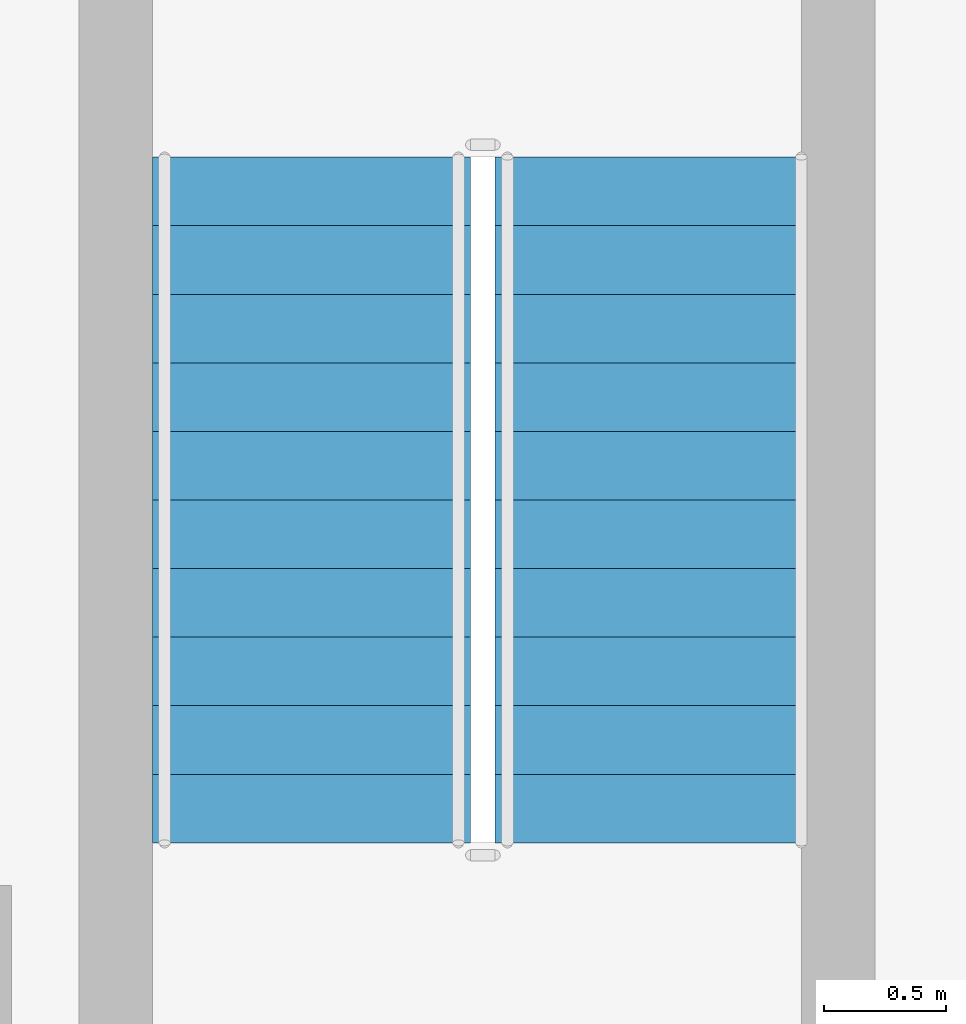
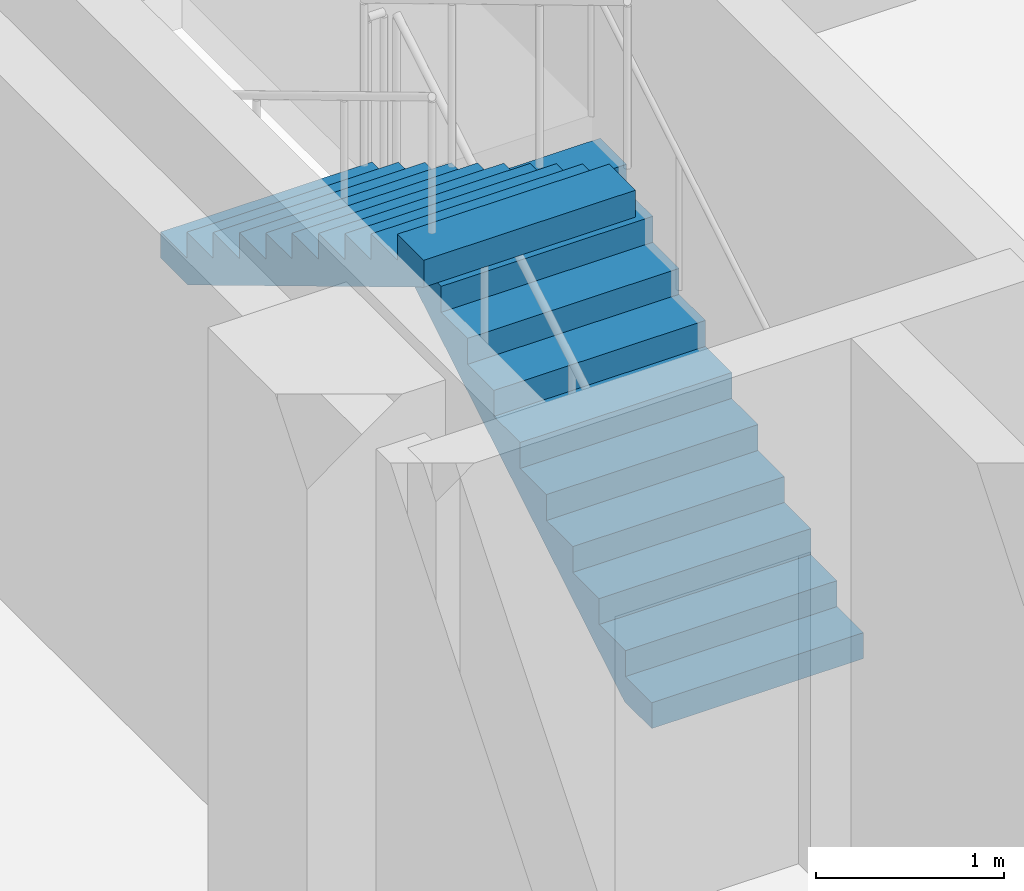
# One storey, part 16 of 25: 2 stair flights, 1 element without a shape of its own.
"""IFC4 building model written with IfcOpenShell, lengths in metres."""

from ifc_helpers import new_model, si_unit, direction, frame, origin, place, context, subcontext, project, spatial, triangles, source, transform, mapped, material, type_object, element, aggregate, save


model = new_model("IFC4")

# Units and contexts
model_context = context("Model", 3, precision=1e-05, world=origin(), true_north=direction((0.0, 1.0)))
body_context = subcontext(model_context, "Body", "Model", "MODEL_VIEW")
ifc_project = project(units=[si_unit("LENGTHUNIT", "METRE"), si_unit("AREAUNIT", "SQUARE_METRE"), si_unit("VOLUMEUNIT", "CUBIC_METRE"), si_unit("PLANEANGLEUNIT", "RADIAN"), si_unit("MASSUNIT", "GRAM", prefix="KILO")], contexts=[model_context])

# Site, building, storey
site_placement = place(None, origin())
site = spatial("IfcSite", under=ifc_project, at=site_placement, CompositionType="ELEMENT")
building_placement = place(site_placement, origin())
building = spatial("IfcBuilding", under=site, at=building_placement, Name="Ogive Portal Towers", CompositionType="ELEMENT")
storey_placement = place(building_placement, frame((0.0, 0.0, 124.10009765625)))
storey = spatial("IfcBuildingStorey", under=building, at=storey_placement, Name="L30", CompositionType="ELEMENT", Elevation=124.10009765625)

# Stair, stair flights
ifc_material = material(Name="Concrete C40/50", Category="concrete")
stair_type = type_object("IfcStairType", Name="INT-STAIR", PredefinedType="HALF_TURN_STAIR", material=ifc_material)
stair_placement = place(storey_placement, origin())
stair = element("IfcStair", 1, at=stair_placement, inside=storey, type_object=stair_type, Name="L30 Exit Stair ST-A3", PredefinedType="HALF_TURN_STAIR")
stair_flight_type = type_object("IfcStairFlightType", Name="INT-FLIGHT", PredefinedType="STRAIGHT", material=ifc_material)
shared_shape = source(origin(), body_context, "Body", "Tessellation", [
    triangles([(0.0, -0.650146484375, 0.0), (0.0, -0.376220703125, 0.0), (0.0, -0.192626953125, 0.0), (0.0, -0.081298828125, 0.0), (0.0, -0.024169921875, 0.0), (0.0, -0.003173828125, 0.0), (0.0, 0.0, 0.0), (0.0, 0.0029296875, 0.0), (0.0, 0.02392578125, 0.0), (0.0, 0.0810546875, 0.0), (0.0, 0.1923828125, 0.0), (0.0, 0.3759765625, 0.0), (0.0, 0.64990234375, 0.0), (0.0, -0.650146484375, 0.168212890625), (0.0, -0.376220703125, 0.168212890625), (0.0, -0.192626953125, 0.168212890625), (0.0, -0.081298828125, 0.168212890625), (0.0, -0.024169921875, 0.168212890625), (0.0, -0.003173828125, 0.168212890625), (0.0, 0.0, 0.168212890625), (0.0, 0.0029296875, 0.168212890625), (0.0, 0.02392578125, 0.168212890625), (0.0, 0.0810546875, 0.168212890625), (0.0, 0.1923828125, 0.168212890625), (0.0, 0.3759765625, 0.168212890625), (0.0, 0.64990234375, 0.168212890625), (0.280029296875, -0.650146484375, 0.168212890625), (0.280029296875, -0.376220703125, 0.168212890625), (0.280029296875, -0.192626953125, 0.168212890625), (0.280029296875, -0.081298828125, 0.168212890625), (0.280029296875, -0.024169921875, 0.168212890625), (0.280029296875, -0.003173828125, 0.168212890625), (0.280029296875, 0.0, 0.168212890625), (0.280029296875, 0.0029296875, 0.168212890625), (0.280029296875, 0.02392578125, 0.168212890625), (0.280029296875, 0.0810546875, 0.168212890625), (0.280029296875, 0.1923828125, 0.168212890625), (0.280029296875, 0.3759765625, 0.168212890625), (0.280029296875, 0.64990234375, 0.168212890625), (0.280029296875, -0.650146484375, 0.33642578125), (0.280029296875, -0.376220703125, 0.33642578125), (0.280029296875, -0.192626953125, 0.33642578125), (0.280029296875, -0.081298828125, 0.33642578125), (0.280029296875, -0.024169921875, 0.33642578125), (0.280029296875, -0.003173828125, 0.33642578125), (0.280029296875, 0.0, 0.33642578125), (0.280029296875, 0.0029296875, 0.33642578125), (0.280029296875, 0.02392578125, 0.33642578125), (0.280029296875, 0.0810546875, 0.33642578125), (0.280029296875, 0.1923828125, 0.33642578125), (0.280029296875, 0.3759765625, 0.33642578125), (0.280029296875, 0.64990234375, 0.33642578125), (0.56005859375, -0.650146484375, 0.33642578125), (0.56005859375, -0.376220703125, 0.33642578125), (0.56005859375, -0.192626953125, 0.33642578125), (0.56005859375, -0.081298828125, 0.33642578125), (0.56005859375, -0.024169921875, 0.33642578125), (0.56005859375, -0.003173828125, 0.33642578125), (0.56005859375, 0.0, 0.33642578125), (0.56005859375, 0.0029296875, 0.33642578125), (0.56005859375, 0.02392578125, 0.33642578125), (0.56005859375, 0.0810546875, 0.33642578125), (0.56005859375, 0.1923828125, 0.33642578125), (0.56005859375, 0.3759765625, 0.33642578125), (0.56005859375, 0.64990234375, 0.33642578125), (0.56005859375, -0.650146484375, 0.504638671875), (0.56005859375, -0.376220703125, 0.504638671875), (0.56005859375, -0.192626953125, 0.504638671875), (0.56005859375, -0.081298828125, 0.504638671875), (0.56005859375, -0.024169921875, 0.504638671875), (0.56005859375, -0.003173828125, 0.504638671875), (0.56005859375, 0.0, 0.504638671875), (0.56005859375, 0.0029296875, 0.504638671875), (0.56005859375, 0.02392578125, 0.504638671875), (0.56005859375, 0.0810546875, 0.504638671875), (0.56005859375, 0.1923828125, 0.504638671875), (0.56005859375, 0.3759765625, 0.504638671875), (0.56005859375, 0.64990234375, 0.504638671875), (0.840087890625, -0.650146484375, 0.504638671875), (0.840087890625, -0.376220703125, 0.504638671875), (0.840087890625, -0.192626953125, 0.504638671875), (0.840087890625, -0.081298828125, 0.504638671875), (0.840087890625, -0.024169921875, 0.504638671875), (0.840087890625, -0.003173828125, 0.504638671875), (0.840087890625, 0.0, 0.504638671875), (0.840087890625, 0.0029296875, 0.504638671875), (0.840087890625, 0.02392578125, 0.504638671875), (0.840087890625, 0.0810546875, 0.504638671875), (0.840087890625, 0.1923828125, 0.504638671875), (0.840087890625, 0.3759765625, 0.504638671875), (0.840087890625, 0.64990234375, 0.504638671875), (0.840087890625, -0.650146484375, 0.672607421875), (0.840087890625, -0.376220703125, 0.672607421875), (0.840087890625, -0.192626953125, 0.672607421875), (0.840087890625, -0.081298828125, 0.672607421875), (0.840087890625, -0.024169921875, 0.672607421875), (0.840087890625, -0.003173828125, 0.672607421875), (0.840087890625, 0.0, 0.672607421875), (0.840087890625, 0.0029296875, 0.672607421875), (0.840087890625, 0.02392578125, 0.672607421875), (0.840087890625, 0.0810546875, 0.672607421875), (0.840087890625, 0.1923828125, 0.672607421875), (0.840087890625, 0.3759765625, 0.672607421875), (0.840087890625, 0.64990234375, 0.672607421875), (1.1201171875, -0.650146484375, 0.672607421875), (1.1201171875, -0.376220703125, 0.672607421875), (1.1201171875, -0.192626953125, 0.672607421875), (1.1201171875, -0.081298828125, 0.672607421875), (1.1201171875, -0.024169921875, 0.672607421875), (1.1201171875, -0.003173828125, 0.672607421875), (1.1201171875, 0.0, 0.672607421875), (1.1201171875, 0.0029296875, 0.672607421875), (1.1201171875, 0.02392578125, 0.672607421875), (1.1201171875, 0.0810546875, 0.672607421875), (1.1201171875, 0.1923828125, 0.672607421875), (1.1201171875, 0.3759765625, 0.672607421875), (1.1201171875, 0.64990234375, 0.672607421875), (1.1201171875, -0.650146484375, 0.8408203125), (1.1201171875, -0.376220703125, 0.8408203125), (1.1201171875, -0.192626953125, 0.8408203125), (1.1201171875, -0.081298828125, 0.8408203125), (1.1201171875, -0.024169921875, 0.8408203125), (1.1201171875, -0.003173828125, 0.8408203125), (1.1201171875, 0.0, 0.8408203125), (1.1201171875, 0.0029296875, 0.8408203125), (1.1201171875, 0.02392578125, 0.8408203125), (1.1201171875, 0.0810546875, 0.8408203125), (1.1201171875, 0.1923828125, 0.8408203125), (1.1201171875, 0.3759765625, 0.8408203125), (1.1201171875, 0.64990234375, 0.8408203125), (1.39990234375, -0.650146484375, 0.8408203125), (1.39990234375, -0.376220703125, 0.8408203125), (1.39990234375, -0.192626953125, 0.8408203125), (1.39990234375, -0.081298828125, 0.8408203125), (1.39990234375, -0.024169921875, 0.8408203125), (1.39990234375, -0.003173828125, 0.8408203125), (1.39990234375, 0.0, 0.8408203125), (1.39990234375, 0.0029296875, 0.8408203125), (1.39990234375, 0.02392578125, 0.8408203125), (1.39990234375, 0.0810546875, 0.8408203125), (1.39990234375, 0.1923828125, 0.8408203125), (1.39990234375, 0.3759765625, 0.8408203125), (1.39990234375, 0.64990234375, 0.8408203125), (1.39990234375, -0.650146484375, 1.009033203125), (1.39990234375, -0.376220703125, 1.009033203125), (1.39990234375, -0.192626953125, 1.009033203125), (1.39990234375, -0.081298828125, 1.009033203125), (1.39990234375, -0.024169921875, 1.009033203125), (1.39990234375, -0.003173828125, 1.009033203125), (1.39990234375, 0.0, 1.009033203125), (1.39990234375, 0.0029296875, 1.009033203125), (1.39990234375, 0.02392578125, 1.009033203125), (1.39990234375, 0.0810546875, 1.009033203125), (1.39990234375, 0.1923828125, 1.009033203125), (1.39990234375, 0.3759765625, 1.009033203125), (1.39990234375, 0.64990234375, 1.009033203125), (1.679931640625, -0.650146484375, 1.009033203125), (1.679931640625, -0.376220703125, 1.009033203125), (1.679931640625, -0.192626953125, 1.009033203125), (1.679931640625, -0.081298828125, 1.009033203125), (1.679931640625, -0.024169921875, 1.009033203125), (1.679931640625, -0.003173828125, 1.009033203125), (1.679931640625, 0.0, 1.009033203125), (1.679931640625, 0.0029296875, 1.009033203125), (1.679931640625, 0.02392578125, 1.009033203125), (1.679931640625, 0.0810546875, 1.009033203125), (1.679931640625, 0.1923828125, 1.009033203125), (1.679931640625, 0.3759765625, 1.009033203125), (1.679931640625, 0.64990234375, 1.009033203125), (1.679931640625, -0.650146484375, 1.17724609375), (1.679931640625, -0.376220703125, 1.17724609375), (1.679931640625, -0.192626953125, 1.17724609375), (1.679931640625, -0.081298828125, 1.17724609375), (1.679931640625, -0.024169921875, 1.17724609375), (1.679931640625, -0.003173828125, 1.17724609375), (1.679931640625, 0.0, 1.17724609375), (1.679931640625, 0.0029296875, 1.17724609375), (1.679931640625, 0.02392578125, 1.17724609375), (1.679931640625, 0.0810546875, 1.17724609375), (1.679931640625, 0.1923828125, 1.17724609375), (1.679931640625, 0.3759765625, 1.17724609375), (1.679931640625, 0.64990234375, 1.17724609375), (1.9599609375, -0.650146484375, 1.17724609375), (1.9599609375, -0.376220703125, 1.17724609375), (1.9599609375, -0.192626953125, 1.17724609375), (1.9599609375, -0.081298828125, 1.17724609375), (1.9599609375, -0.024169921875, 1.17724609375), (1.9599609375, -0.003173828125, 1.17724609375), (1.9599609375, 0.0, 1.17724609375), (1.9599609375, 0.0029296875, 1.17724609375), (1.9599609375, 0.02392578125, 1.17724609375), (1.9599609375, 0.0810546875, 1.17724609375), (1.9599609375, 0.1923828125, 1.17724609375), (1.9599609375, 0.3759765625, 1.17724609375), (1.9599609375, 0.64990234375, 1.17724609375), (1.9599609375, -0.650146484375, 1.345458984375), (1.9599609375, -0.376220703125, 1.345458984375), (1.9599609375, -0.192626953125, 1.345458984375), (1.9599609375, -0.081298828125, 1.345458984375), (1.9599609375, -0.024169921875, 1.345458984375), (1.9599609375, -0.003173828125, 1.345458984375), (1.9599609375, 0.0, 1.345458984375), (1.9599609375, 0.0029296875, 1.345458984375), (1.9599609375, 0.02392578125, 1.345458984375), (1.9599609375, 0.0810546875, 1.345458984375), (1.9599609375, 0.1923828125, 1.345458984375), (1.9599609375, 0.3759765625, 1.345458984375), (1.9599609375, 0.64990234375, 1.345458984375), (2.239990234375, -0.650146484375, 1.345458984375), (2.239990234375, -0.376220703125, 1.345458984375), (2.239990234375, -0.192626953125, 1.345458984375), (2.239990234375, -0.081298828125, 1.345458984375), (2.239990234375, -0.024169921875, 1.345458984375), (2.239990234375, -0.003173828125, 1.345458984375), (2.239990234375, 0.0, 1.345458984375), (2.239990234375, 0.0029296875, 1.345458984375), (2.239990234375, 0.02392578125, 1.345458984375), (2.239990234375, 0.0810546875, 1.345458984375), (2.239990234375, 0.1923828125, 1.345458984375), (2.239990234375, 0.3759765625, 1.345458984375), (2.239990234375, 0.64990234375, 1.345458984375), (2.239990234375, -0.650146484375, 1.513671875), (2.239990234375, -0.376220703125, 1.513671875), (2.239990234375, -0.192626953125, 1.513671875), (2.239990234375, -0.081298828125, 1.513671875), (2.239990234375, -0.024169921875, 1.513671875), (2.239990234375, -0.003173828125, 1.513671875), (2.239990234375, 0.0, 1.513671875), (2.239990234375, 0.0029296875, 1.513671875), (2.239990234375, 0.02392578125, 1.513671875), (2.239990234375, 0.0810546875, 1.513671875), (2.239990234375, 0.1923828125, 1.513671875), (2.239990234375, 0.3759765625, 1.513671875), (2.239990234375, 0.64990234375, 1.513671875), (2.52001953125, -0.650146484375, 1.513671875), (2.52001953125, -0.376220703125, 1.513671875), (2.52001953125, -0.192626953125, 1.513671875), (2.52001953125, -0.081298828125, 1.513671875), (2.52001953125, -0.024169921875, 1.513671875), (2.52001953125, -0.003173828125, 1.513671875), (2.52001953125, 0.0, 1.513671875), (2.52001953125, 0.0029296875, 1.513671875), (2.52001953125, 0.02392578125, 1.513671875), (2.52001953125, 0.0810546875, 1.513671875), (2.52001953125, 0.1923828125, 1.513671875), (2.52001953125, 0.3759765625, 1.513671875), (2.52001953125, 0.64990234375, 1.513671875), (2.52001953125, -0.650146484375, 1.681884765625), (2.52001953125, -0.376220703125, 1.681884765625), (2.52001953125, -0.192626953125, 1.681884765625), (2.52001953125, -0.081298828125, 1.681884765625), (2.52001953125, -0.024169921875, 1.681884765625), (2.52001953125, -0.003173828125, 1.681884765625), (2.52001953125, 0.0, 1.681884765625), (2.52001953125, 0.0029296875, 1.681884765625), (2.52001953125, 0.02392578125, 1.681884765625), (2.52001953125, 0.0810546875, 1.681884765625), (2.52001953125, 0.1923828125, 1.681884765625), (2.52001953125, 0.3759765625, 1.681884765625), (2.52001953125, 0.64990234375, 1.681884765625), (2.800048828125, -0.650146484375, 1.681884765625), (2.800048828125, -0.376220703125, 1.681884765625), (2.800048828125, -0.192626953125, 1.681884765625), (2.800048828125, -0.081298828125, 1.681884765625), (2.800048828125, -0.024169921875, 1.681884765625), (2.800048828125, -0.003173828125, 1.681884765625), (2.800048828125, 0.0, 1.681884765625), (2.800048828125, 0.0029296875, 1.681884765625), (2.800048828125, 0.02392578125, 1.681884765625), (2.800048828125, 0.0810546875, 1.681884765625), (2.800048828125, 0.1923828125, 1.681884765625), (2.800048828125, 0.3759765625, 1.681884765625), (2.800048828125, 0.64990234375, 1.681884765625), (2.800048828125, -0.650146484375, 1.5068359375), (2.800048828125, -0.376220703125, 1.5068359375), (2.800048828125, -0.192626953125, 1.5068359375), (2.800048828125, -0.081298828125, 1.5068359375), (2.800048828125, -0.024169921875, 1.5068359375), (2.800048828125, -0.003173828125, 1.5068359375), (2.800048828125, 0.0, 1.5068359375), (2.800048828125, 0.0029296875, 1.5068359375), (2.800048828125, 0.02392578125, 1.5068359375), (2.800048828125, 0.0810546875, 1.5068359375), (2.800048828125, 0.1923828125, 1.5068359375), (2.800048828125, 0.3759765625, 1.5068359375), (2.800048828125, 0.64990234375, 1.5068359375), (0.291015625, -0.650146484375, 0.0), (0.291015625, -0.376220703125, 0.0), (0.291015625, -0.192626953125, 0.0), (0.291015625, -0.081298828125, 0.0), (0.291015625, -0.024169921875, 0.0), (0.291015625, -0.003173828125, 0.0), (0.291015625, 0.0, 0.0), (0.291015625, 0.0029296875, 0.0), (0.291015625, 0.02392578125, 0.0), (0.291015625, 0.0810546875, 0.0), (0.291015625, 0.1923828125, 0.0), (0.291015625, 0.3759765625, 0.0), (0.291015625, 0.64990234375, 0.0)], [[1, 14, 15], [1, 15, 2], [2, 15, 16], [2, 16, 3], [3, 16, 17], [3, 17, 4], [4, 17, 18], [4, 18, 5], [5, 18, 19], [5, 19, 6], [6, 19, 20], [6, 20, 7], [7, 20, 21], [7, 21, 8], [8, 21, 22], [8, 22, 9], [9, 22, 23], [9, 23, 10], [10, 23, 24], [10, 24, 11], [11, 24, 25], [11, 25, 12], [12, 25, 26], [12, 26, 13], [14, 27, 28], [14, 28, 15], [15, 28, 29], [15, 29, 16], [16, 29, 30], [16, 30, 17], [17, 30, 31], [17, 31, 18], [18, 31, 32], [18, 32, 19], [19, 32, 33], [19, 33, 20], [20, 33, 34], [20, 34, 21], [21, 34, 35], [21, 35, 22], [22, 35, 36], [22, 36, 23], [23, 36, 37], [23, 37, 24], [24, 37, 38], [24, 38, 25], [25, 38, 39], [25, 39, 26], [27, 40, 41], [27, 41, 28], [28, 41, 42], [28, 42, 29], [29, 42, 43], [29, 43, 30], [30, 43, 44], [30, 44, 31], [31, 44, 45], [31, 45, 32], [32, 45, 46], [32, 46, 33], [33, 46, 47], [33, 47, 34], [34, 47, 48], [34, 48, 35], [35, 48, 49], [35, 49, 36], [36, 49, 50], [36, 50, 37], [37, 50, 51], [37, 51, 38], [38, 51, 52], [38, 52, 39], [40, 53, 54], [40, 54, 41], [41, 54, 55], [41, 55, 42], [42, 55, 56], [42, 56, 43], [43, 56, 57], [43, 57, 44], [44, 57, 58], [44, 58, 45], [45, 58, 59], [45, 59, 46], [46, 59, 60], [46, 60, 47], [47, 60, 61], [47, 61, 48], [48, 61, 62], [48, 62, 49], [49, 62, 63], [49, 63, 50], [50, 63, 64], [50, 64, 51], [51, 64, 65], [51, 65, 52], [53, 66, 67], [53, 67, 54], [54, 67, 68], [54, 68, 55], [55, 68, 69], [55, 69, 56], [56, 69, 70], [56, 70, 57], [57, 70, 71], [57, 71, 58], [58, 71, 72], [58, 72, 59], [59, 72, 73], [59, 73, 60], [60, 73, 74], [60, 74, 61], [61, 74, 75], [61, 75, 62], [62, 75, 76], [62, 76, 63], [63, 76, 77], [63, 77, 64], [64, 77, 78], [64, 78, 65], [66, 79, 80], [66, 80, 67], [67, 80, 81], [67, 81, 68], [68, 81, 82], [68, 82, 69], [69, 82, 83], [69, 83, 70], [70, 83, 84], [70, 84, 71], [71, 84, 85], [71, 85, 72], [72, 85, 86], [72, 86, 73], [73, 86, 87], [73, 87, 74], [74, 87, 88], [74, 88, 75], [75, 88, 89], [75, 89, 76], [76, 89, 90], [76, 90, 77], [77, 90, 91], [77, 91, 78], [79, 92, 93], [79, 93, 80], [80, 93, 94], [80, 94, 81], [81, 94, 95], [81, 95, 82], [82, 95, 96], [82, 96, 83], [83, 96, 97], [83, 97, 84], [84, 97, 98], [84, 98, 85], [85, 98, 99], [85, 99, 86], [86, 99, 100], [86, 100, 87], [87, 100, 101], [87, 101, 88], [88, 101, 102], [88, 102, 89], [89, 102, 103], [89, 103, 90], [90, 103, 104], [90, 104, 91], [92, 105, 106], [92, 106, 93], [93, 106, 107], [93, 107, 94], [94, 107, 108], [94, 108, 95], [95, 108, 109], [95, 109, 96], [96, 109, 110], [96, 110, 97], [97, 110, 111], [97, 111, 98], [98, 111, 112], [98, 112, 99], [99, 112, 113], [99, 113, 100], [100, 113, 114], [100, 114, 101], [101, 114, 115], [101, 115, 102], [102, 115, 116], [102, 116, 103], [103, 116, 117], [103, 117, 104], [105, 118, 119], [105, 119, 106], [106, 119, 120], [106, 120, 107], [107, 120, 121], [107, 121, 108], [108, 121, 122], [108, 122, 109], [109, 122, 123], [109, 123, 110], [110, 123, 124], [110, 124, 111], [111, 124, 125], [111, 125, 112], [112, 125, 126], [112, 126, 113], [113, 126, 127], [113, 127, 114], [114, 127, 128], [114, 128, 115], [115, 128, 129], [115, 129, 116], [116, 129, 130], [116, 130, 117], [118, 131, 132], [118, 132, 119], [119, 132, 133], [119, 133, 120], [120, 133, 134], [120, 134, 121], [121, 134, 135], [121, 135, 122], [122, 135, 136], [122, 136, 123], [123, 136, 137], [123, 137, 124], [124, 137, 138], [124, 138, 125], [125, 138, 139], [125, 139, 126], [126, 139, 140], [126, 140, 127], [127, 140, 141], [127, 141, 128], [128, 141, 142], [128, 142, 129], [129, 142, 143], [129, 143, 130], [131, 144, 145], [131, 145, 132], [132, 145, 146], [132, 146, 133], [133, 146, 147], [133, 147, 134], [134, 147, 148], [134, 148, 135], [135, 148, 149], [135, 149, 136], [136, 149, 150], [136, 150, 137], [137, 150, 151], [137, 151, 138], [138, 151, 152], [138, 152, 139], [139, 152, 153], [139, 153, 140], [140, 153, 154], [140, 154, 141], [141, 154, 155], [141, 155, 142], [142, 155, 156], [142, 156, 143], [144, 157, 158], [144, 158, 145], [145, 158, 159], [145, 159, 146], [146, 159, 160], [146, 160, 147], [147, 160, 161], [147, 161, 148], [148, 161, 162], [148, 162, 149], [149, 162, 163], [149, 163, 150], [150, 163, 164], [150, 164, 151], [151, 164, 165], [151, 165, 152], [152, 165, 166], [152, 166, 153], [153, 166, 167], [153, 167, 154], [154, 167, 168], [154, 168, 155], [155, 168, 169], [155, 169, 156], [157, 170, 171], [157, 171, 158], [158, 171, 172], [158, 172, 159], [159, 172, 173], [159, 173, 160], [160, 173, 174], [160, 174, 161], [161, 174, 175], [161, 175, 162], [162, 175, 176], [162, 176, 163], [163, 176, 177], [163, 177, 164], [164, 177, 178], [164, 178, 165], [165, 178, 179], [165, 179, 166], [166, 179, 180], [166, 180, 167], [167, 180, 181], [167, 181, 168], [168, 181, 182], [168, 182, 169], [170, 183, 184], [170, 184, 171], [171, 184, 185], [171, 185, 172], [172, 185, 186], [172, 186, 173], [173, 186, 187], [173, 187, 174], [174, 187, 188], [174, 188, 175], [175, 188, 189], [175, 189, 176], [176, 189, 190], [176, 190, 177], [177, 190, 191], [177, 191, 178], [178, 191, 192], [178, 192, 179], [179, 192, 193], [179, 193, 180], [180, 193, 194], [180, 194, 181], [181, 194, 195], [181, 195, 182], [183, 196, 197], [183, 197, 184], [184, 197, 198], [184, 198, 185], [185, 198, 199], [185, 199, 186], [186, 199, 200], [186, 200, 187], [187, 200, 201], [187, 201, 188], [188, 201, 202], [188, 202, 189], [189, 202, 203], [189, 203, 190], [190, 203, 204], [190, 204, 191], [191, 204, 205], [191, 205, 192], [192, 205, 206], [192, 206, 193], [193, 206, 207], [193, 207, 194], [194, 207, 208], [194, 208, 195], [196, 209, 210], [196, 210, 197], [197, 210, 211], [197, 211, 198], [198, 211, 212], [198, 212, 199], [199, 212, 213], [199, 213, 200], [200, 213, 214], [200, 214, 201], [201, 214, 215], [201, 215, 202], [202, 215, 216], [202, 216, 203], [203, 216, 217], [203, 217, 204], [204, 217, 218], [204, 218, 205], [205, 218, 219], [205, 219, 206], [206, 219, 220], [206, 220, 207], [207, 220, 221], [207, 221, 208], [209, 222, 223], [209, 223, 210], [210, 223, 224], [210, 224, 211], [211, 224, 225], [211, 225, 212], [212, 225, 226], [212, 226, 213], [213, 226, 227], [213, 227, 214], [214, 227, 228], [214, 228, 215], [215, 228, 229], [215, 229, 216], [216, 229, 230], [216, 230, 217], [217, 230, 231], [217, 231, 218], [218, 231, 232], [218, 232, 219], [219, 232, 233], [219, 233, 220], [220, 233, 234], [220, 234, 221], [222, 235, 236], [222, 236, 223], [223, 236, 237], [223, 237, 224], [224, 237, 238], [224, 238, 225], [225, 238, 239], [225, 239, 226], [226, 239, 240], [226, 240, 227], [227, 240, 241], [227, 241, 228], [228, 241, 242], [228, 242, 229], [229, 242, 243], [229, 243, 230], [230, 243, 244], [230, 244, 231], [231, 244, 245], [231, 245, 232], [232, 245, 246], [232, 246, 233], [233, 246, 247], [233, 247, 234], [235, 248, 249], [235, 249, 236], [236, 249, 250], [236, 250, 237], [237, 250, 251], [237, 251, 238], [238, 251, 252], [238, 252, 239], [239, 252, 253], [239, 253, 240], [240, 253, 254], [240, 254, 241], [241, 254, 255], [241, 255, 242], [242, 255, 256], [242, 256, 243], [243, 256, 257], [243, 257, 244], [244, 257, 258], [244, 258, 245], [245, 258, 259], [245, 259, 246], [246, 259, 260], [246, 260, 247], [248, 261, 262], [248, 262, 249], [249, 262, 263], [249, 263, 250], [250, 263, 264], [250, 264, 251], [251, 264, 265], [251, 265, 252], [252, 265, 266], [252, 266, 253], [253, 266, 267], [253, 267, 254], [254, 267, 268], [254, 268, 255], [255, 268, 269], [255, 269, 256], [256, 269, 270], [256, 270, 257], [257, 270, 271], [257, 271, 258], [258, 271, 272], [258, 272, 259], [259, 272, 273], [259, 273, 260], [261, 274, 275], [261, 275, 262], [262, 275, 276], [262, 276, 263], [263, 276, 277], [263, 277, 264], [264, 277, 278], [264, 278, 265], [265, 278, 279], [265, 279, 266], [266, 279, 280], [266, 280, 267], [267, 280, 281], [267, 281, 268], [268, 281, 282], [268, 282, 269], [269, 282, 283], [269, 283, 270], [270, 283, 284], [270, 284, 271], [271, 284, 285], [271, 285, 272], [272, 285, 286], [272, 286, 273], [274, 287, 288], [274, 288, 275], [275, 288, 289], [275, 289, 276], [276, 289, 290], [276, 290, 277], [277, 290, 291], [277, 291, 278], [278, 291, 292], [278, 292, 279], [279, 292, 293], [279, 293, 280], [280, 293, 294], [280, 294, 281], [281, 294, 295], [281, 295, 282], [282, 295, 296], [282, 296, 283], [283, 296, 297], [283, 297, 284], [284, 297, 298], [284, 298, 285], [285, 298, 299], [285, 299, 286], [287, 1, 2], [287, 2, 288], [288, 2, 3], [288, 3, 289], [289, 3, 4], [289, 4, 290], [290, 4, 5], [290, 5, 291], [291, 5, 6], [291, 6, 292], [292, 6, 7], [292, 7, 293], [293, 7, 8], [293, 8, 294], [294, 8, 9], [294, 9, 295], [295, 9, 10], [295, 10, 296], [296, 10, 11], [296, 11, 297], [297, 11, 12], [297, 12, 298], [298, 12, 13], [298, 13, 299], [1, 287, 274], [13, 286, 299], [274, 261, 248], [286, 260, 273], [274, 248, 235], [286, 247, 260], [274, 235, 222], [286, 234, 247], [274, 222, 209], [286, 221, 234], [209, 196, 183], [221, 195, 208], [274, 209, 183], [286, 195, 221], [183, 170, 157], [195, 169, 182], [274, 183, 157], [286, 169, 195], [157, 144, 131], [169, 143, 156], [274, 157, 131], [286, 143, 169], [131, 118, 105], [143, 117, 130], [274, 131, 105], [286, 117, 143], [1, 274, 105], [13, 117, 286], [105, 92, 79], [117, 91, 104], [79, 66, 53], [91, 65, 78], [105, 79, 53], [117, 65, 91], [53, 40, 27], [65, 39, 52], [105, 53, 27], [117, 39, 65], [1, 105, 27], [13, 39, 117], [27, 14, 1], [39, 13, 26]], closed=True),
])
stair_flight_1_placement = place(storey_placement, frame((43.550048828125, 67.199951171875, 0.0), z_axis=(0.0, 0.0, 1.0), x_axis=(0.0, 1.0, 0.0)))
stair_flight_1 = element("IfcStairFlight", 2, at=stair_flight_1_placement, type_object=stair_flight_type, Name="ST-A3 flight 1", NumberOfRisers=11, NumberOfTreads=10, PredefinedType="STRAIGHT", RiserHeight=0.168181818, TreadLength=0.28, context=body_context, shape_type="MappedRepresentation", body=[
    mapped(shared_shape, transform((0.0, 0.0, 0.0), scale=1.0)),
])
stair_flight_2_placement = place(storey_placement, frame((42.14990234375, 70.0, 1.849853515625), z_axis=(0.0, 0.0, 1.0), x_axis=(0.0, -1.0, 0.0)))
stair_flight_2 = element("IfcStairFlight", 3, at=stair_flight_2_placement, type_object=stair_flight_type, Name="ST-A3 flight 2", NumberOfRisers=11, NumberOfTreads=10, PredefinedType="STRAIGHT", RiserHeight=0.168181818, TreadLength=0.28, context=body_context, shape_type="MappedRepresentation", body=[
    mapped(shared_shape, transform((0.0, 0.0, 0.0), scale=1.0)),
])
aggregate(stair, [stair_flight_1, stair_flight_2])

save(model, "model.ifc")
